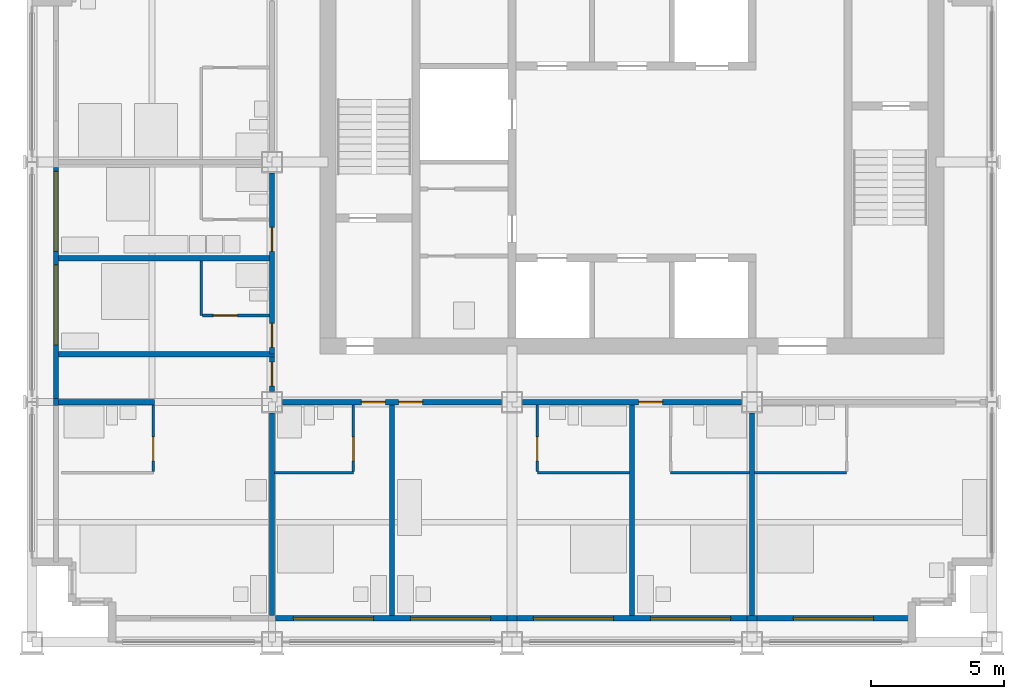
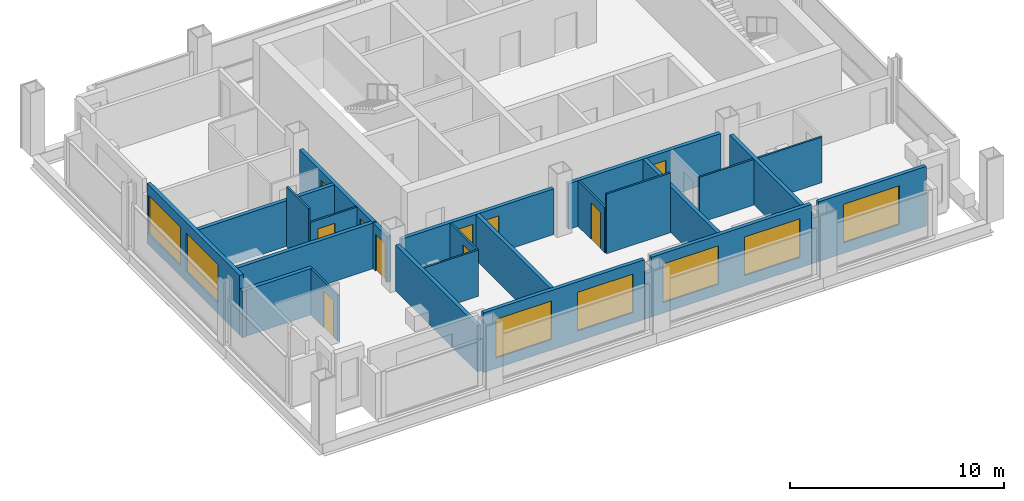
# One storey, part 6 of 12: 27 walls, 10 doors, 7 windows, 17 openings.
"""IFC4 building model written with IfcOpenShell, lengths in metres."""

from ifc_helpers import new_model, si_unit, direction, frame, frame_2d, origin, place, context, subcontext, project, spatial, rectangle, extrude, material, layer, layer_set, type_object, element, fill, save


model = new_model("IFC4")

# Units and contexts
model_context = context("Model", 3, precision=1e-05, world=origin(), true_north=direction((0.0, 1.0)))
body_context = subcontext(model_context, "Body", "Model", "MODEL_VIEW")
ifc_project = project(units=[si_unit("LENGTHUNIT", "METRE"), si_unit("AREAUNIT", "SQUARE_METRE"), si_unit("VOLUMEUNIT", "CUBIC_METRE"), si_unit("PLANEANGLEUNIT", "RADIAN"), si_unit("MASSUNIT", "GRAM", prefix="KILO")], contexts=[model_context])

# Site, building, storey
site_placement = place(None, origin())
site = spatial("IfcSite", under=ifc_project, at=site_placement, CompositionType="ELEMENT")
building_placement = place(site_placement, origin())
building = spatial("IfcBuilding", under=site, at=building_placement, Name="Loomwork Tower", CompositionType="ELEMENT")
storey_placement = place(building_placement, frame((0.0, 0.0, 237.39990234375)))
storey = spatial("IfcBuildingStorey", under=building, at=storey_placement, Name="L65", CompositionType="ELEMENT", Elevation=237.39990234375)

# Wall
ifc_material_1 = material(Name="Gypsum board on steel studs, one-hour", Category="steel")
ifc_layer_1 = layer(ifc_material_1, 0.199951171875)
ifc_layer_set_1 = layer_set([ifc_layer_1], Name="Corridor wall 200")
wall_type_1 = type_object("IfcWallType", Name="Corridor wall 200", PredefinedType="PARTITIONING", material=ifc_layer_set_1)
wall_1_placement = place(storey_placement, frame((1.0, 9.0, 0.0), z_axis=(0.0, 0.0, 1.0), x_axis=(1.0, 0.0, 0.0)))
element("IfcWall", 1, at=wall_1_placement, inside=storey, type_object=wall_type_1, Name="South corridor wall 1", PredefinedType="PARTITIONING", context=body_context, shape_type="SweptSolid", body=[
    extrude(rectangle(XDim=3.60009765625, YDim=0.199951171875, at=frame_2d((1.800048828125, 0.0))), origin(), (0.0, 0.0, 1.0), 2.63818359375),
])

# Wall, openings, doors
wall_2_placement = place(storey_placement, frame((9.39990234375, 9.0, 0.0), z_axis=(0.0, 0.0, 1.0), x_axis=(1.0, 0.0, 0.0)))
wall_2 = element("IfcWall", 2, at=wall_2_placement, inside=storey, type_object=wall_type_1, Name="South corridor wall 2", PredefinedType="PARTITIONING", context=body_context, shape_type="SweptSolid", body=[
    extrude(rectangle(XDim=8.2001953125, YDim=0.199951171875, at=frame_2d((4.10009765625, 0.0))), origin(), (0.0, 0.0, 1.0), 2.60498046875),
])
opening_1_placement = place(wall_2_placement, frame((2.949951171875, 0.0, 0.0)))
opening_1 = element("IfcOpeningElement", 3, at=opening_1_placement, cuts=wall_2, Name="Opening D1", PredefinedType="OPENING", context=body_context, shape_type="SweptSolid", body=[
    extrude(rectangle(XDim=0.89990234375, YDim=2.10009765625, at=frame_2d((0.449951171875, 1.050048828125))), frame((0.0, 0.10986328125, 0.0), z_axis=(0.0, -1.0, 0.0), x_axis=(1.0, 0.0, 0.0)), (0.0, 0.0, 1.0), 0.219970703125),
])
opening_2_placement = place(wall_2_placement, frame((4.35009765625, 0.0, 0.0)))
opening_2 = element("IfcOpeningElement", 4, at=opening_2_placement, cuts=wall_2, Name="Opening D1", PredefinedType="OPENING", context=body_context, shape_type="SweptSolid", body=[
    extrude(rectangle(XDim=0.89990234375, YDim=2.10009765625, at=frame_2d((0.449951171875, 1.050048828125))), frame((0.0, 0.10986328125, 0.0), z_axis=(0.0, -1.0, 0.0), x_axis=(1.0, 0.0, 0.0)), (0.0, 0.0, 1.0), 0.219970703125),
])
ifc_material_2 = material(Name="Hollow metal door and frame")
door_type_1 = type_object("IfcDoorType", Name="Guest room entry door 900", OperationType="SINGLE_SWING_LEFT", PredefinedType="DOOR", material=ifc_material_2)
door_1_placement = place(opening_1_placement, frame((0.89990234375, 0.0, 0.0), z_axis=(0.0, 0.0, 1.0), x_axis=(-1.0, 0.0, 0.0)))
door_1 = element("IfcDoor", 5, at=door_1_placement, inside=storey, type_object=door_type_1, Name="Guest room entry door L65 2", OperationType="SINGLE_SWING_LEFT", OverallHeight=2.10009765625, OverallWidth=0.89990234375, PredefinedType="DOOR", context=body_context, shape_type="SweptSolid", body=[
    extrude(rectangle(XDim=0.89990234375, YDim=2.10009765625, at=frame_2d((0.449951171875, 1.050048828125))), frame((0.0, 0.02490234375, 0.0), z_axis=(0.0, -1.0, 0.0), x_axis=(1.0, 0.0, 0.0)), (0.0, 0.0, 1.0), 0.050048828125),
])
fill(opening_1, door_1)
door_2_placement = place(opening_2_placement, frame((0.89990234375, 0.0, 0.0), z_axis=(0.0, 0.0, 1.0), x_axis=(-1.0, 0.0, 0.0)))
door_2 = element("IfcDoor", 6, at=door_2_placement, inside=storey, type_object=door_type_1, Name="Guest room entry door L65 3", OperationType="SINGLE_SWING_RIGHT", OverallHeight=2.10009765625, OverallWidth=0.89990234375, PredefinedType="DOOR", context=body_context, shape_type="SweptSolid", body=[
    extrude(rectangle(XDim=0.89990234375, YDim=2.10009765625, at=frame_2d((0.449951171875, 1.050048828125))), frame((0.0, 0.02490234375, 0.0), z_axis=(0.0, -1.0, 0.0), x_axis=(1.0, 0.0, 0.0)), (0.0, 0.0, 1.0), 0.050048828125),
])
fill(opening_2, door_2)

# Wall, opening, door
wall_3_placement = place(storey_placement, frame((18.39990234375, 9.0, 0.0), z_axis=(0.0, 0.0, 1.0), x_axis=(1.0, 0.0, 0.0)))
wall_3 = element("IfcWall", 7, at=wall_3_placement, inside=storey, type_object=wall_type_1, Name="South corridor wall 3", PredefinedType="PARTITIONING", context=body_context, shape_type="SweptSolid", body=[
    extrude(rectangle(XDim=8.2001953125, YDim=0.199951171875, at=frame_2d((4.10009765625, 0.0))), origin(), (0.0, 0.0, 1.0), 2.60498046875),
])
opening_3_placement = place(wall_3_placement, frame((4.35009765625, 0.0, 0.0)))
opening_3 = element("IfcOpeningElement", 8, at=opening_3_placement, cuts=wall_3, Name="Opening D1", PredefinedType="OPENING", context=body_context, shape_type="SweptSolid", body=[
    extrude(rectangle(XDim=0.89990234375, YDim=2.10009765625, at=frame_2d((0.449951171875, 1.050048828125))), frame((0.0, 0.10986328125, 0.0), z_axis=(0.0, -1.0, 0.0), x_axis=(1.0, 0.0, 0.0)), (0.0, 0.0, 1.0), 0.219970703125),
])
door_3_placement = place(opening_3_placement, frame((0.89990234375, 0.0, 0.0), z_axis=(0.0, 0.0, 1.0), x_axis=(-1.0, 0.0, 0.0)))
door_3 = element("IfcDoor", 9, at=door_3_placement, inside=storey, type_object=door_type_1, Name="Guest room entry door L65 4", OperationType="SINGLE_SWING_RIGHT", OverallHeight=2.10009765625, OverallWidth=0.89990234375, PredefinedType="DOOR", context=body_context, shape_type="SweptSolid", body=[
    extrude(rectangle(XDim=0.89990234375, YDim=2.10009765625, at=frame_2d((0.449951171875, 1.050048828125))), frame((0.0, 0.02490234375, 0.0), z_axis=(0.0, -1.0, 0.0), x_axis=(1.0, 0.0, 0.0)), (0.0, 0.0, 1.0), 0.050048828125),
])
fill(opening_3, door_3)

# Wall, openings, doors
wall_4_placement = place(storey_placement, frame((9.0, 10.800048828125, 0.0), z_axis=(0.0, 0.0, 1.0), x_axis=(0.0, 1.0, 0.0)))
wall_4 = element("IfcWall", 10, at=wall_4_placement, inside=storey, type_object=wall_type_1, Name="West corridor wall 1", PredefinedType="PARTITIONING", context=body_context, shape_type="SweptSolid", body=[
    extrude(rectangle(XDim=6.800048828125, YDim=0.199951171875, at=frame_2d((3.39990234375, 0.0))), origin(), (0.0, 0.0, 1.0), 2.60498046875),
])
opening_4_placement = place(wall_4_placement, frame((0.25, 0.0, 0.0)))
opening_4 = element("IfcOpeningElement", 11, at=opening_4_placement, cuts=wall_4, Name="Opening D1", PredefinedType="OPENING", context=body_context, shape_type="SweptSolid", body=[
    extrude(rectangle(XDim=0.89990234375, YDim=2.10009765625, at=frame_2d((0.449951171875, 1.050048828125))), frame((0.0, 0.10986328125, 0.0), z_axis=(0.0, -1.0, 0.0), x_axis=(1.0, 0.0, 0.0)), (0.0, 0.0, 1.0), 0.219970703125),
])
opening_5_placement = place(wall_4_placement, frame((3.85009765625, 0.0, 0.0)))
opening_5 = element("IfcOpeningElement", 12, at=opening_5_placement, cuts=wall_4, Name="Opening D1", PredefinedType="OPENING", context=body_context, shape_type="SweptSolid", body=[
    extrude(rectangle(XDim=0.89990234375, YDim=2.10009765625, at=frame_2d((0.449951171875, 1.050048828125))), frame((0.0, 0.10986328125, 0.0), z_axis=(0.0, -1.0, 0.0), x_axis=(1.0, 0.0, 0.0)), (0.0, 0.0, 1.0), 0.219970703125),
])
door_4_placement = place(opening_4_placement, origin())
door_4 = element("IfcDoor", 13, at=door_4_placement, inside=storey, type_object=door_type_1, Name="Guest room entry door L65 6", OperationType="SINGLE_SWING_LEFT", OverallHeight=2.10009765625, OverallWidth=0.89990234375, PredefinedType="DOOR", context=body_context, shape_type="SweptSolid", body=[
    extrude(rectangle(XDim=0.89990234375, YDim=2.10009765625, at=frame_2d((0.449951171875, 1.050048828125))), frame((0.0, 0.02490234375, 0.0), z_axis=(0.0, -1.0, 0.0), x_axis=(1.0, 0.0, 0.0)), (0.0, 0.0, 1.0), 0.050048828125),
])
fill(opening_4, door_4)
door_5_placement = place(opening_5_placement, origin())
door_5 = element("IfcDoor", 14, at=door_5_placement, inside=storey, type_object=door_type_1, Name="Guest room entry door L65 7", OperationType="SINGLE_SWING_LEFT", OverallHeight=2.10009765625, OverallWidth=0.89990234375, PredefinedType="DOOR", context=body_context, shape_type="SweptSolid", body=[
    extrude(rectangle(XDim=0.89990234375, YDim=2.10009765625, at=frame_2d((0.449951171875, 1.050048828125))), frame((0.0, 0.02490234375, 0.0), z_axis=(0.0, -1.0, 0.0), x_axis=(1.0, 0.0, 0.0)), (0.0, 0.0, 1.0), 0.050048828125),
])
fill(opening_5, door_5)

# Wall
wall_5_placement = place(storey_placement, frame((1.0, 10.800048828125, 0.0), z_axis=(0.0, 0.0, 1.0), x_axis=(1.0, 0.0, 0.0)))
element("IfcWall", 15, at=wall_5_placement, inside=storey, type_object=wall_type_1, Name="West band end wall S", PredefinedType="PARTITIONING", context=body_context, shape_type="SweptSolid", body=[
    extrude(rectangle(XDim=8.10009765625, YDim=0.199951171875, at=frame_2d((4.050048828125, 0.0))), origin(), (0.0, 0.0, 1.0), 2.60400390625),
])

# Wall, opening, door
wall_6_placement = place(storey_placement, frame((9.0, 9.39990234375, 0.0), z_axis=(0.0, 0.0, 1.0), x_axis=(0.0, 1.0, 0.0)))
wall_6 = element("IfcWall", 16, at=wall_6_placement, inside=storey, type_object=wall_type_1, Name="Corner suite foyer wall", PredefinedType="PARTITIONING", context=body_context, shape_type="SweptSolid", body=[
    extrude(rectangle(XDim=1.300048828125, YDim=0.199951171875, at=frame_2d((0.64990234375, 0.0))), origin(), (0.0, 0.0, 1.0), 2.60498046875),
])
opening_6_placement = place(wall_6_placement, frame((0.199951171875, 0.0, 0.0)))
opening_6 = element("IfcOpeningElement", 17, at=opening_6_placement, cuts=wall_6, Name="Opening D1", PredefinedType="OPENING", context=body_context, shape_type="SweptSolid", body=[
    extrude(rectangle(XDim=0.89990234375, YDim=2.10009765625, at=frame_2d((0.449951171875, 1.050048828125))), frame((0.0, 0.10986328125, 0.0), z_axis=(0.0, -1.0, 0.0), x_axis=(1.0, 0.0, 0.0)), (0.0, 0.0, 1.0), 0.219970703125),
])
door_6_placement = place(opening_6_placement, origin())
door_6 = element("IfcDoor", 18, at=door_6_placement, inside=storey, type_object=door_type_1, Name="Guest room entry door L65 1", OperationType="SINGLE_SWING_RIGHT", OverallHeight=2.10009765625, OverallWidth=0.89990234375, PredefinedType="DOOR", context=body_context, shape_type="SweptSolid", body=[
    extrude(rectangle(XDim=0.89990234375, YDim=2.10009765625, at=frame_2d((0.449951171875, 1.050048828125))), frame((0.0, 0.02490234375, 0.0), z_axis=(0.0, -1.0, 0.0), x_axis=(1.0, 0.0, 0.0)), (0.0, 0.0, 1.0), 0.050048828125),
])
fill(opening_6, door_6)

ifc_material_3 = material(Name="Cement board on steel studs", Category="steel")
ifc_layer_2 = layer(ifc_material_3, 0.10009765625)
ifc_layer_set_2 = layer_set([ifc_layer_2], Name="En-suite partition 100")
wall_type_2 = type_object("IfcWallType", Name="En-suite partition 100", PredefinedType="PARTITIONING", material=ifc_layer_set_2)
wall_7_placement = place(storey_placement, frame((4.550048828125, 8.89990234375, 0.0), z_axis=(0.0, 0.0, 1.0), x_axis=(0.0, -1.0, 0.0)))
wall_7 = element("IfcWall", 19, at=wall_7_placement, inside=storey, type_object=wall_type_2, Name="En-suite side wall L65 room 1", PredefinedType="PARTITIONING", context=body_context, shape_type="SweptSolid", body=[
    extrude(rectangle(XDim=2.5, YDim=0.10009765625, at=frame_2d((1.25, 0.0))), origin(), (0.0, 0.0, 1.0), 2.63818359375),
])
opening_7_placement = place(wall_7_placement, frame((1.199951171875, 0.0, 0.0)))
opening_7 = element("IfcOpeningElement", 20, at=opening_7_placement, cuts=wall_7, Name="Opening D3", PredefinedType="OPENING", context=body_context, shape_type="SweptSolid", body=[
    extrude(rectangle(XDim=0.89990234375, YDim=2.10009765625, at=frame_2d((0.449951171875, 1.050048828125))), frame((0.0, 0.06005859375, 0.0), z_axis=(0.0, -1.0, 0.0), x_axis=(1.0, 0.0, 0.0)), (0.0, 0.0, 1.0), 0.1201171875),
])
ifc_material_4 = material(Name="Hollow metal door and frame")
door_type_2 = type_object("IfcDoorType", Name="Accessible en-suite door 900", OperationType="SLIDING_TO_LEFT", PredefinedType="DOOR", material=ifc_material_4)
door_7_placement = place(opening_7_placement, origin())
door_7 = element("IfcDoor", 21, at=door_7_placement, inside=storey, type_object=door_type_2, Name="Accessible en-suite door room 1", OperationType="SLIDING_TO_LEFT", OverallHeight=2.10009765625, OverallWidth=0.89990234375, PredefinedType="DOOR", context=body_context, shape_type="SweptSolid", body=[
    extrude(rectangle(XDim=0.89990234375, YDim=2.10009765625, at=frame_2d((0.449951171875, 1.050048828125))), frame((0.0, 0.02490234375, 0.0), z_axis=(0.0, -1.0, 0.0), x_axis=(1.0, 0.0, 0.0)), (0.0, 0.0, 1.0), 0.050048828125),
])
fill(opening_7, door_7)

# Wall
wall_8_placement = place(storey_placement, frame((9.10009765625, 6.35009765625, 0.0), z_axis=(0.0, 0.0, 1.0), x_axis=(1.0, 0.0, 0.0)))
element("IfcWall", 22, at=wall_8_placement, inside=storey, type_object=wall_type_2, Name="En-suite wall L65 room 2", PredefinedType="PARTITIONING", context=body_context, shape_type="SweptSolid", body=[
    extrude(rectangle(XDim=2.949951171875, YDim=0.10009765625, at=frame_2d((1.47509765625, 0.0))), origin(), (0.0, 0.0, 1.0), 2.63818359375),
])

# Wall, opening, door
wall_9_placement = place(storey_placement, frame((12.050048828125, 8.89990234375, 0.0), z_axis=(0.0, 0.0, 1.0), x_axis=(0.0, -1.0, 0.0)))
wall_9 = element("IfcWall", 23, at=wall_9_placement, inside=storey, type_object=wall_type_2, Name="En-suite side wall L65 room 2", PredefinedType="PARTITIONING", context=body_context, shape_type="SweptSolid", body=[
    extrude(rectangle(XDim=2.5, YDim=0.10009765625, at=frame_2d((1.25, 0.0))), origin(), (0.0, 0.0, 1.0), 2.60400390625),
])
opening_8_placement = place(wall_9_placement, frame((1.199951171875, 0.0, 0.0)))
opening_8 = element("IfcOpeningElement", 24, at=opening_8_placement, cuts=wall_9, Name="Opening D2", PredefinedType="OPENING", context=body_context, shape_type="SweptSolid", body=[
    extrude(rectangle(XDim=0.89990234375, YDim=2.10009765625, at=frame_2d((0.449951171875, 1.050048828125))), frame((0.0, 0.06005859375, 0.0), z_axis=(0.0, -1.0, 0.0), x_axis=(1.0, 0.0, 0.0)), (0.0, 0.0, 1.0), 0.1201171875),
])
ifc_material_5 = material(Name="Hollow metal door and frame")
door_type_3 = type_object("IfcDoorType", Name="En-suite door 900", OperationType="SINGLE_SWING_LEFT", PredefinedType="DOOR", material=ifc_material_5)
door_8_placement = place(opening_8_placement, frame((0.89990234375, 0.0, 0.0), z_axis=(0.0, 0.0, 1.0), x_axis=(-1.0, 0.0, 0.0)))
door_8 = element("IfcDoor", 25, at=door_8_placement, inside=storey, type_object=door_type_3, Name="En-suite door room 2", OperationType="SINGLE_SWING_LEFT", OverallHeight=2.10009765625, OverallWidth=0.89990234375, PredefinedType="DOOR", context=body_context, shape_type="SweptSolid", body=[
    extrude(rectangle(XDim=0.89990234375, YDim=2.10009765625, at=frame_2d((0.449951171875, 1.050048828125))), frame((0.0, 0.02490234375, 0.0), z_axis=(0.0, -1.0, 0.0), x_axis=(1.0, 0.0, 0.0)), (0.0, 0.0, 1.0), 0.050048828125),
])
fill(opening_8, door_8)

# Wall
wall_10_placement = place(storey_placement, frame((18.949951171875, 6.35009765625, 0.0), z_axis=(0.0, 0.0, 1.0), x_axis=(1.0, 0.0, 0.0)))
element("IfcWall", 26, at=wall_10_placement, inside=storey, type_object=wall_type_2, Name="En-suite wall L65 room 3", PredefinedType="PARTITIONING", context=body_context, shape_type="SweptSolid", body=[
    extrude(rectangle(XDim=3.449951171875, YDim=0.10009765625, at=frame_2d((1.72509765625, 0.0))), origin(), (0.0, 0.0, 1.0), 3.400146484375),
])

# Wall, opening, door
wall_11_placement = place(storey_placement, frame((18.949951171875, 8.89990234375, 0.0), z_axis=(0.0, 0.0, 1.0), x_axis=(0.0, -1.0, 0.0)))
wall_11 = element("IfcWall", 27, at=wall_11_placement, inside=storey, type_object=wall_type_2, Name="En-suite side wall L65 room 3", PredefinedType="PARTITIONING", context=body_context, shape_type="SweptSolid", body=[
    extrude(rectangle(XDim=2.5, YDim=0.10009765625, at=frame_2d((1.25, 0.0))), origin(), (0.0, 0.0, 1.0), 2.60400390625),
])
opening_9_placement = place(wall_11_placement, frame((1.199951171875, 0.0, 0.0)))
opening_9 = element("IfcOpeningElement", 28, at=opening_9_placement, cuts=wall_11, Name="Opening D2", PredefinedType="OPENING", context=body_context, shape_type="SweptSolid", body=[
    extrude(rectangle(XDim=0.89990234375, YDim=2.10009765625, at=frame_2d((0.449951171875, 1.050048828125))), frame((0.0, 0.06005859375, 0.0), z_axis=(0.0, -1.0, 0.0), x_axis=(1.0, 0.0, 0.0)), (0.0, 0.0, 1.0), 0.1201171875),
])
door_9_placement = place(opening_9_placement, origin())
door_9 = element("IfcDoor", 29, at=door_9_placement, inside=storey, type_object=door_type_3, Name="En-suite door room 3", OperationType="SINGLE_SWING_RIGHT", OverallHeight=2.10009765625, OverallWidth=0.89990234375, PredefinedType="DOOR", context=body_context, shape_type="SweptSolid", body=[
    extrude(rectangle(XDim=0.89990234375, YDim=2.10009765625, at=frame_2d((0.449951171875, 1.050048828125))), frame((0.0, 0.02490234375, 0.0), z_axis=(0.0, -1.0, 0.0), x_axis=(1.0, 0.0, 0.0)), (0.0, 0.0, 1.0), 0.050048828125),
])
fill(opening_9, door_9)

# Walls
wall_12_placement = place(storey_placement, frame((23.949951171875, 6.35009765625, 0.0), z_axis=(0.0, 0.0, 1.0), x_axis=(1.0, 0.0, 0.0)))
element("IfcWall", 30, at=wall_12_placement, inside=storey, type_object=wall_type_2, Name="En-suite wall L65 room 4", PredefinedType="PARTITIONING", context=body_context, shape_type="SweptSolid", body=[
    extrude(rectangle(XDim=2.949951171875, YDim=0.10009765625, at=frame_2d((1.47509765625, 0.0))), origin(), (0.0, 0.0, 1.0), 2.60400390625),
])
wall_13_placement = place(storey_placement, frame((27.10009765625, 6.35009765625, 0.0), z_axis=(0.0, 0.0, 1.0), x_axis=(1.0, 0.0, 0.0)))
element("IfcWall", 31, at=wall_13_placement, inside=storey, type_object=wall_type_2, Name="En-suite wall L65 room 5", PredefinedType="PARTITIONING", context=body_context, shape_type="SweptSolid", body=[
    extrude(rectangle(XDim=3.449951171875, YDim=0.10009765625, at=frame_2d((1.72509765625, 0.0))), origin(), (0.0, 0.0, 1.0), 2.60400390625),
])
wall_14_placement = place(storey_placement, frame((6.35009765625, 12.25, 0.0), z_axis=(0.0, 0.0, 1.0), x_axis=(0.0, 1.0, 0.0)))
element("IfcWall", 32, at=wall_14_placement, inside=storey, type_object=wall_type_2, Name="En-suite wall L65 room 6", PredefinedType="PARTITIONING", context=body_context, shape_type="SweptSolid", body=[
    extrude(rectangle(XDim=2.050048828125, YDim=0.10009765625, at=frame_2d((1.02490234375, 0.0))), origin(), (0.0, 0.0, 1.0), 3.400146484375),
])

# Wall, opening, door
wall_15_placement = place(storey_placement, frame((8.89990234375, 12.25, 0.0), z_axis=(0.0, 0.0, 1.0), x_axis=(-1.0, 0.0, 0.0)))
wall_15 = element("IfcWall", 33, at=wall_15_placement, inside=storey, type_object=wall_type_2, Name="En-suite side wall L65 room 6", PredefinedType="PARTITIONING", context=body_context, shape_type="SweptSolid", body=[
    extrude(rectangle(XDim=2.5, YDim=0.10009765625, at=frame_2d((1.25, 0.0))), origin(), (0.0, 0.0, 1.0), 2.60400390625),
])
opening_10_placement = place(wall_15_placement, frame((1.199951171875, 0.0, 0.0)))
opening_10 = element("IfcOpeningElement", 34, at=opening_10_placement, cuts=wall_15, Name="Opening D2", PredefinedType="OPENING", context=body_context, shape_type="SweptSolid", body=[
    extrude(rectangle(XDim=0.89990234375, YDim=2.10009765625, at=frame_2d((0.449951171875, 1.050048828125))), frame((0.0, 0.06005859375, 0.0), z_axis=(0.0, -1.0, 0.0), x_axis=(1.0, 0.0, 0.0)), (0.0, 0.0, 1.0), 0.1201171875),
])
door_10_placement = place(opening_10_placement, frame((0.89990234375, 0.0, 0.0), z_axis=(0.0, 0.0, 1.0), x_axis=(-1.0, 0.0, 0.0)))
door_10 = element("IfcDoor", 35, at=door_10_placement, inside=storey, type_object=door_type_3, Name="En-suite door room 6", OperationType="SINGLE_SWING_LEFT", OverallHeight=2.10009765625, OverallWidth=0.89990234375, PredefinedType="DOOR", context=body_context, shape_type="SweptSolid", body=[
    extrude(rectangle(XDim=0.89990234375, YDim=2.10009765625, at=frame_2d((0.449951171875, 1.050048828125))), frame((0.0, 0.02490234375, 0.0), z_axis=(0.0, -1.0, 0.0), x_axis=(1.0, 0.0, 0.0)), (0.0, 0.0, 1.0), 0.050048828125),
])
fill(opening_10, door_10)

# Walls
ifc_material_6 = material(Name="Gypsum board on steel studs, acoustic", Category="steel")
ifc_layer_3 = layer(ifc_material_6, 0.199951171875)
ifc_layer_set_3 = layer_set([ifc_layer_3], Name="Guest room party wall 200")
wall_type_3 = type_object("IfcWallType", Name="Guest room party wall 200", PredefinedType="PARTITIONING", material=ifc_layer_set_3)
wall_16_placement = place(storey_placement, frame((9.0, 8.60009765625, 0.0), z_axis=(0.0, 0.0, 1.0), x_axis=(0.0, -1.0, 0.0)))
element("IfcWall", 36, at=wall_16_placement, inside=storey, type_object=wall_type_3, Name="Guest room party wall S 9", PredefinedType="PARTITIONING", context=body_context, shape_type="SweptSolid", body=[
    extrude(rectangle(XDim=7.60009765625, YDim=0.199951171875, at=frame_2d((3.800048828125, 0.0))), origin(), (0.0, 0.0, 1.0), 2.63818359375),
])
for number, where, z_axis, x_axis, name in (
    (37, (13.5, 8.89990234375, 0.0), (0.0, 0.0, 1.0), (0.0, -1.0, 0.0), "Guest room party wall S 13.5"),
    (38, (22.5, 8.89990234375, 0.0), (0.0, 0.0, 1.0), (0.0, -1.0, 0.0), "Guest room party wall S 22.5"),
):
    element("IfcWall", number, at=place(storey_placement, frame(where, z_axis=z_axis, x_axis=x_axis)), inside=storey, type_object=wall_type_3, Name=name, PredefinedType="PARTITIONING", context=body_context, shape_type="SweptSolid", body=[
        extrude(rectangle(XDim=7.89990234375, YDim=0.199951171875, at=frame_2d((3.949951171875, 0.0))), origin(), (0.0, 0.0, 1.0), 2.60400390625),
    ])
wall_17_placement = place(storey_placement, frame((27.0, 8.60009765625, 0.0), z_axis=(0.0, 0.0, 1.0), x_axis=(0.0, -1.0, 0.0)))
element("IfcWall", 39, at=wall_17_placement, inside=storey, type_object=wall_type_3, Name="Guest room party wall S 27", PredefinedType="PARTITIONING", context=body_context, shape_type="SweptSolid", body=[
    extrude(rectangle(XDim=7.60009765625, YDim=0.199951171875, at=frame_2d((3.800048828125, 0.0))), origin(), (0.0, 0.0, 1.0), 2.60498046875),
])
wall_18_placement = place(storey_placement, frame((8.89990234375, 14.39990234375, 0.0), z_axis=(0.0, 0.0, 1.0), x_axis=(-1.0, 0.0, 0.0)))
element("IfcWall", 40, at=wall_18_placement, inside=storey, type_object=wall_type_3, Name="Guest room party wall W 14.4", PredefinedType="PARTITIONING", context=body_context, shape_type="SweptSolid", body=[
    extrude(rectangle(XDim=7.89990234375, YDim=0.199951171875, at=frame_2d((3.949951171875, 0.0))), origin(), (0.0, 0.0, 1.0), 2.60400390625),
])

# Wall, openings, windows
ifc_material_7 = material(Name="Insulated steel stud wall with gypsum lining", Category="steel")
ifc_layer_4 = layer(ifc_material_7, 0.199951171875)
ifc_layer_set_4 = layer_set([ifc_layer_4], Name="Inner skin wall 200")
wall_type_4 = type_object("IfcWallType", Name="Inner skin wall 200", PredefinedType="SOLIDWALL", material=ifc_layer_set_4)
wall_19_placement = place(storey_placement, frame((9.13525390625, 0.89990234375, 0.0), z_axis=(0.0, 0.0, 1.0), x_axis=(1.0, 0.0, 0.0)))
wall_19 = element("IfcWall", 41, at=wall_19_placement, inside=storey, type_object=wall_type_4, Name="Inner skin wall S bay 3", PredefinedType="SOLIDWALL", context=body_context, shape_type="SweptSolid", body=[
    extrude(rectangle(XDim=8.6708984375, YDim=0.199951171875, at=frame_2d((4.33544921875, 0.0))), origin(), (0.0, 0.0, 1.0), 3.400146484375),
])
opening_11_placement = place(wall_19_placement, frame((0.664794921875, 0.0, 0.60009765625)))
opening_11 = element("IfcOpeningElement", 42, at=opening_11_placement, cuts=wall_19, Name="Opening CH1", PredefinedType="OPENING", context=body_context, shape_type="SweptSolid", body=[
    extrude(rectangle(XDim=3.0, YDim=2.199951171875, at=frame_2d((1.5, 1.10009765625))), frame((0.0, 0.10986328125, 0.0), z_axis=(0.0, -1.0, 0.0), x_axis=(1.0, 0.0, 0.0)), (0.0, 0.0, 1.0), 0.219970703125),
])
opening_12_placement = place(wall_19_placement, frame((5.064697265625, 0.0, 0.60009765625)))
opening_12 = element("IfcOpeningElement", 43, at=opening_12_placement, cuts=wall_19, Name="Opening CH1", PredefinedType="OPENING", context=body_context, shape_type="SweptSolid", body=[
    extrude(rectangle(XDim=3.0, YDim=2.199951171875, at=frame_2d((1.5, 1.10009765625))), frame((0.0, 0.10986328125, 0.0), z_axis=(0.0, -1.0, 0.0), x_axis=(1.0, 0.0, 0.0)), (0.0, 0.0, 1.0), 0.219970703125),
])
ifc_material_8 = material(Name="Aluminium frame with clear insulated glass", Category="aluminium")
window_type = type_object("IfcWindowType", Name="Chicago window 3000", PartitioningType="TRIPLE_PANEL_VERTICAL", PredefinedType="WINDOW", material=ifc_material_8)
window_1_placement = place(opening_11_placement, origin())
window_1 = element("IfcWindow", 44, at=window_1_placement, inside=storey, type_object=window_type, Name="Chicago window L65 bay 2", OverallHeight=2.199951171875, OverallWidth=3.0, PartitioningType="TRIPLE_PANEL_VERTICAL", PredefinedType="WINDOW", context=body_context, shape_type="SweptSolid", body=[
    extrude(rectangle(XDim=3.0, YDim=2.199951171875, at=frame_2d((1.5, 1.10009765625))), frame((0.0, 0.030029296875, 0.0), z_axis=(0.0, -1.0, 0.0), x_axis=(1.0, 0.0, 0.0)), (0.0, 0.0, 1.0), 0.06005859375),
])
fill(opening_11, window_1)
window_2_placement = place(opening_12_placement, origin())
window_2 = element("IfcWindow", 45, at=window_2_placement, inside=storey, type_object=window_type, Name="Chicago window L65 bay 2", OverallHeight=2.199951171875, OverallWidth=3.0, PartitioningType="TRIPLE_PANEL_VERTICAL", PredefinedType="WINDOW", context=body_context, shape_type="SweptSolid", body=[
    extrude(rectangle(XDim=3.0, YDim=2.199951171875, at=frame_2d((1.5, 1.10009765625))), frame((0.0, 0.030029296875, 0.0), z_axis=(0.0, -1.0, 0.0), x_axis=(1.0, 0.0, 0.0)), (0.0, 0.0, 1.0), 0.06005859375),
])
fill(opening_12, window_2)

# Wall
wall_20_placement = place(storey_placement, frame((17.80615234375, 0.89990234375, 0.0), z_axis=(0.0, 0.0, 1.0), x_axis=(1.0, 0.0, 0.0)))
element("IfcWall", 46, at=wall_20_placement, inside=storey, type_object=wall_type_4, Name="Inner skin wall S bay 4", PredefinedType="SOLIDWALL", context=body_context, shape_type="SweptSolid", body=[
    extrude(rectangle(XDim=0.3876953125, YDim=0.199951171875, at=frame_2d((0.19384765625, 0.0))), origin(), (0.0, 0.0, 1.0), 2.60400390625),
])

# Wall, openings, windows
wall_21_placement = place(storey_placement, frame((18.19384765625, 0.89990234375, 0.0), z_axis=(0.0, 0.0, 1.0), x_axis=(1.0, 0.0, 0.0)))
wall_21 = element("IfcWall", 47, at=wall_21_placement, inside=storey, type_object=wall_type_4, Name="Inner skin wall S bay 5", PredefinedType="SOLIDWALL", context=body_context, shape_type="SweptSolid", body=[
    extrude(rectangle(XDim=8.6123046875, YDim=0.199951171875, at=frame_2d((4.30615234375, 0.0))), origin(), (0.0, 0.0, 1.0), 3.400146484375),
])
opening_13_placement = place(wall_21_placement, frame((0.606201171875, 0.0, 0.60009765625)))
opening_13 = element("IfcOpeningElement", 48, at=opening_13_placement, cuts=wall_21, Name="Opening CH1", PredefinedType="OPENING", context=body_context, shape_type="SweptSolid", body=[
    extrude(rectangle(XDim=3.0, YDim=2.199951171875, at=frame_2d((1.5, 1.10009765625))), frame((0.0, 0.10986328125, 0.0), z_axis=(0.0, -1.0, 0.0), x_axis=(1.0, 0.0, 0.0)), (0.0, 0.0, 1.0), 0.219970703125),
])
opening_14_placement = place(wall_21_placement, frame((5.006103515625, 0.0, 0.60009765625)))
opening_14 = element("IfcOpeningElement", 49, at=opening_14_placement, cuts=wall_21, Name="Opening CH1", PredefinedType="OPENING", context=body_context, shape_type="SweptSolid", body=[
    extrude(rectangle(XDim=3.0, YDim=2.199951171875, at=frame_2d((1.5, 1.10009765625))), frame((0.0, 0.10986328125, 0.0), z_axis=(0.0, -1.0, 0.0), x_axis=(1.0, 0.0, 0.0)), (0.0, 0.0, 1.0), 0.219970703125),
])
window_3_placement = place(opening_13_placement, origin())
window_3 = element("IfcWindow", 50, at=window_3_placement, inside=storey, type_object=window_type, Name="Chicago window L65 bay 3", OverallHeight=2.199951171875, OverallWidth=3.0, PartitioningType="TRIPLE_PANEL_VERTICAL", PredefinedType="WINDOW", context=body_context, shape_type="SweptSolid", body=[
    extrude(rectangle(XDim=3.0, YDim=2.199951171875, at=frame_2d((1.5, 1.10009765625))), frame((0.0, 0.030029296875, 0.0), z_axis=(0.0, -1.0, 0.0), x_axis=(1.0, 0.0, 0.0)), (0.0, 0.0, 1.0), 0.06005859375),
])
fill(opening_13, window_3)
window_4_placement = place(opening_14_placement, origin())
window_4 = element("IfcWindow", 51, at=window_4_placement, inside=storey, type_object=window_type, Name="Chicago window L65 bay 3", OverallHeight=2.199951171875, OverallWidth=3.0, PartitioningType="TRIPLE_PANEL_VERTICAL", PredefinedType="WINDOW", context=body_context, shape_type="SweptSolid", body=[
    extrude(rectangle(XDim=3.0, YDim=2.199951171875, at=frame_2d((1.5, 1.10009765625))), frame((0.0, 0.030029296875, 0.0), z_axis=(0.0, -1.0, 0.0), x_axis=(1.0, 0.0, 0.0)), (0.0, 0.0, 1.0), 0.06005859375),
])
fill(opening_14, window_4)

# Wall
wall_22_placement = place(storey_placement, frame((26.80615234375, 0.89990234375, 0.0), z_axis=(0.0, 0.0, 1.0), x_axis=(1.0, 0.0, 0.0)))
element("IfcWall", 52, at=wall_22_placement, inside=storey, type_object=wall_type_4, Name="Inner skin wall S bay 6", PredefinedType="SOLIDWALL", context=body_context, shape_type="SweptSolid", body=[
    extrude(rectangle(XDim=0.3876953125, YDim=0.199951171875, at=frame_2d((0.19384765625, 0.0))), origin(), (0.0, 0.0, 1.0), 2.60400390625),
])

# Wall, opening, window
wall_23_placement = place(storey_placement, frame((27.19384765625, 0.89990234375, 0.0), z_axis=(0.0, 0.0, 1.0), x_axis=(1.0, 0.0, 0.0)))
wall_23 = element("IfcWall", 53, at=wall_23_placement, inside=storey, type_object=wall_type_4, Name="Inner skin wall S bay 7", PredefinedType="SOLIDWALL", context=body_context, shape_type="SweptSolid", body=[
    extrude(rectangle(XDim=5.80615234375, YDim=0.199951171875, at=frame_2d((2.903076171875, 0.0))), origin(), (0.0, 0.0, 1.0), 3.400146484375),
])
opening_15_placement = place(wall_23_placement, frame((1.356201171875, 0.0, 0.60009765625)))
opening_15 = element("IfcOpeningElement", 54, at=opening_15_placement, cuts=wall_23, Name="Opening CH1", PredefinedType="OPENING", context=body_context, shape_type="SweptSolid", body=[
    extrude(rectangle(XDim=3.0, YDim=2.199951171875, at=frame_2d((1.5, 1.10009765625))), frame((0.0, 0.10986328125, 0.0), z_axis=(0.0, -1.0, 0.0), x_axis=(1.0, 0.0, 0.0)), (0.0, 0.0, 1.0), 0.219970703125),
])
window_5_placement = place(opening_15_placement, origin())
window_5 = element("IfcWindow", 55, at=window_5_placement, inside=storey, type_object=window_type, Name="Chicago window L65 bay 4", OverallHeight=2.199951171875, OverallWidth=3.0, PartitioningType="TRIPLE_PANEL_VERTICAL", PredefinedType="WINDOW", context=body_context, shape_type="SweptSolid", body=[
    extrude(rectangle(XDim=3.0, YDim=2.199951171875, at=frame_2d((1.5, 1.10009765625))), frame((0.0, 0.030029296875, 0.0), z_axis=(0.0, -1.0, 0.0), x_axis=(1.0, 0.0, 0.0)), (0.0, 0.0, 1.0), 0.06005859375),
])
fill(opening_15, window_5)

# Wall
wall_24_placement = place(storey_placement, frame((0.89990234375, 8.86474609375, 0.0), z_axis=(0.0, 0.0, 1.0), x_axis=(0.0, 1.0, 0.0)))
element("IfcWall", 56, at=wall_24_placement, inside=storey, type_object=wall_type_4, Name="Inner skin wall W bay 4", PredefinedType="SOLIDWALL", context=body_context, shape_type="SweptSolid", body=[
    extrude(rectangle(XDim=0.2705078125, YDim=0.199951171875, at=frame_2d((0.13525390625, 0.0))), origin(), (0.0, 0.0, 1.0), 2.63818359375),
])

# Wall, openings, windows
wall_25_placement = place(storey_placement, frame((0.89990234375, 9.13525390625, 0.0), z_axis=(0.0, 0.0, 1.0), x_axis=(0.0, 1.0, 0.0)))
wall_25 = element("IfcWall", 57, at=wall_25_placement, inside=storey, type_object=wall_type_4, Name="Inner skin wall W bay 5", PredefinedType="SOLIDWALL", context=body_context, shape_type="SweptSolid", body=[
    extrude(rectangle(XDim=8.6708984375, YDim=0.199951171875, at=frame_2d((4.33544921875, 0.0))), origin(), (0.0, 0.0, 1.0), 3.400146484375),
])
opening_16_placement = place(wall_25_placement, frame((2.0146484375, 0.0, 0.60009765625)))
opening_16 = element("IfcOpeningElement", 58, at=opening_16_placement, cuts=wall_25, Name="Opening CH1", PredefinedType="OPENING", context=body_context, shape_type="SweptSolid", body=[
    extrude(rectangle(XDim=3.0, YDim=2.199951171875, at=frame_2d((1.5, 1.10009765625))), frame((0.0, 0.10986328125, 0.0), z_axis=(0.0, -1.0, 0.0), x_axis=(1.0, 0.0, 0.0)), (0.0, 0.0, 1.0), 0.219970703125),
])
opening_17_placement = place(wall_25_placement, frame((5.5146484375, 0.0, 0.60009765625)))
opening_17 = element("IfcOpeningElement", 59, at=opening_17_placement, cuts=wall_25, Name="Opening CH1", PredefinedType="OPENING", context=body_context, shape_type="SweptSolid", body=[
    extrude(rectangle(XDim=3.0, YDim=2.199951171875, at=frame_2d((1.5, 1.10009765625))), frame((0.0, 0.10986328125, 0.0), z_axis=(0.0, -1.0, 0.0), x_axis=(1.0, 0.0, 0.0)), (0.0, 0.0, 1.0), 0.219970703125),
])
window_6_placement = place(opening_16_placement, origin())
window_6 = element("IfcWindow", 60, at=window_6_placement, inside=storey, type_object=window_type, Name="Chicago window L65 bay 5", OverallHeight=2.199951171875, OverallWidth=3.0, PartitioningType="TRIPLE_PANEL_VERTICAL", PredefinedType="WINDOW", context=body_context, shape_type="SweptSolid", body=[
    extrude(rectangle(XDim=3.0, YDim=2.199951171875, at=frame_2d((1.5, 1.10009765625))), frame((0.0, 0.030029296875, 0.0), z_axis=(0.0, -1.0, 0.0), x_axis=(1.0, 0.0, 0.0)), (0.0, 0.0, 1.0), 0.06005859375),
])
fill(opening_16, window_6)
window_7_placement = place(opening_17_placement, origin())
window_7 = element("IfcWindow", 61, at=window_7_placement, inside=storey, type_object=window_type, Name="Chicago window L65 bay 5", OverallHeight=2.199951171875, OverallWidth=3.0, PartitioningType="TRIPLE_PANEL_VERTICAL", PredefinedType="WINDOW", context=body_context, shape_type="SweptSolid", body=[
    extrude(rectangle(XDim=3.0, YDim=2.199951171875, at=frame_2d((1.5, 1.10009765625))), frame((0.0, 0.030029296875, 0.0), z_axis=(0.0, -1.0, 0.0), x_axis=(1.0, 0.0, 0.0)), (0.0, 0.0, 1.0), 0.06005859375),
])
fill(opening_17, window_7)

save(model, "model.ifc")
